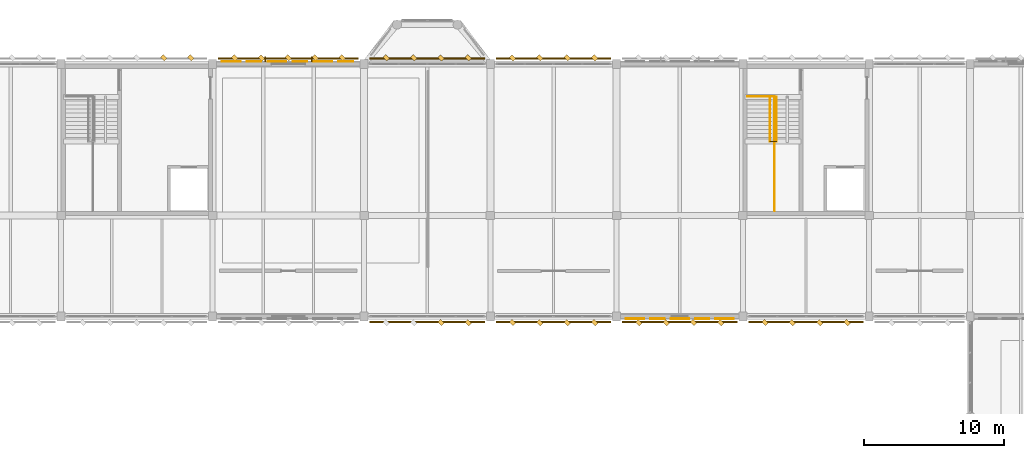
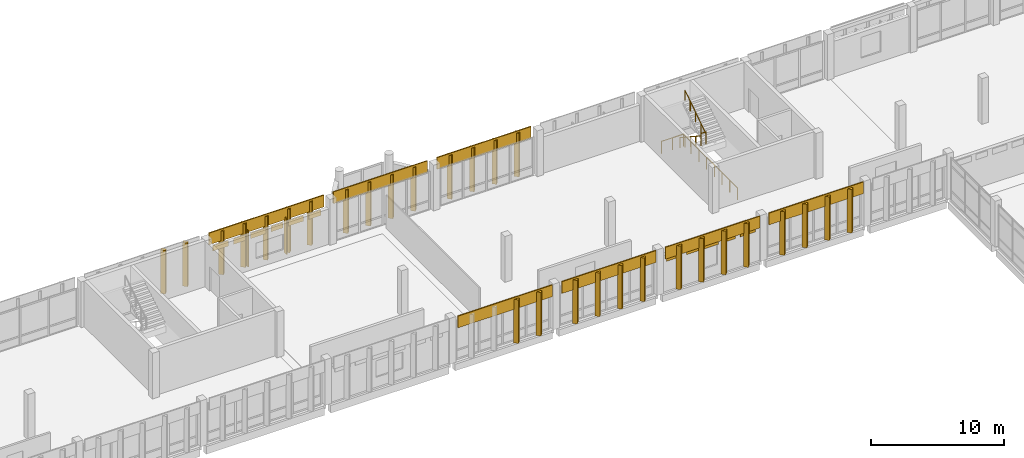
# One storey, part 151 of 158: 49 coverings, 4 railings.
"""IFC4 building model written with IfcOpenShell, lengths in metres."""

from ifc_helpers import new_model, si_unit, direction, frame, origin, origin_2d, place, context, subcontext, project, spatial, rectangle, circle, extrude, material, layer, layer_set, type_object, element, save


model = new_model("IFC4")

# Units and contexts
model_context = context("Model", 3, precision=1e-05, world=origin(), true_north=direction((0.0, 1.0)))
body_context = subcontext(model_context, "Body", "Model", "MODEL_VIEW")
ifc_project = project(units=[si_unit("LENGTHUNIT", "METRE"), si_unit("AREAUNIT", "SQUARE_METRE"), si_unit("VOLUMEUNIT", "CUBIC_METRE"), si_unit("PLANEANGLEUNIT", "RADIAN"), si_unit("MASSUNIT", "GRAM", prefix="KILO")], contexts=[model_context])

# Site, building, storey
site_placement = place(None, origin())
site = spatial("IfcSite", under=ifc_project, at=site_placement, CompositionType="ELEMENT")
building_placement = place(site_placement, origin())
building = spatial("IfcBuilding", under=site, at=building_placement, Name="Lusvemor Sports Hall", CompositionType="ELEMENT")
storey_placement = place(building_placement, frame((0.0, 0.0, 10.800048828125)))
storey = spatial("IfcBuildingStorey", under=building, at=storey_placement, Name="L02", CompositionType="ELEMENT", Elevation=10.800048828125)

# Coverings
ifc_material_1 = material(Name="Emerald polychrome glazed ceramic cladding on Concrete C40/50 backing", Category="concrete")
ifc_layer_1 = layer(ifc_material_1, 0.0458984375)
ifc_layer_set_1 = layer_set([ifc_layer_1], Name="Emerald polychrome glazed ceramic cladding on Concrete C40/50 backing")
covering_type_1 = type_object("IfcCoveringType", Name="CLAD_WAVE_EMERALD", PredefinedType="CLADDING", material=ifc_layer_set_1)
for number, where, z_axis, x_axis, name in (
    (1, (66.11669921875, 115.365478515625, 2.65478515625), (0.0, 0.0, 1.0), (1.0, 0.0, 0.0), "Art Nouveau Patterned Cladding PS-EW-L02-N-1-6-1"),
    (2, (69.38330078125, 115.365478515625, 2.65478515625), (0.0, 0.0, 1.0), (1.0, 0.0, 0.0), "Art Nouveau Patterned Cladding PS-EW-L02-N-1-6-3"),
    (3, (72.64990234375, 115.365478515625, 2.65478515625), (0.0, 0.0, 1.0), (1.0, 0.0, 0.0), "Art Nouveau Patterned Cladding PS-EW-L02-N-1-6-5"),
):
    element("IfcCovering", number, at=place(storey_placement, frame(where, z_axis=z_axis, x_axis=x_axis)), inside=storey, type_object=covering_type_1, Name=name, PredefinedType="CLADDING", context=body_context, shape_type="SweptSolid", body=[
        extrude(rectangle(XDim=1.33935546875, YDim=0.0458984375, at=origin_2d()), origin(), (0.0, 0.0, 1.0), 0.510009765625),
    ])
for number, where, z_axis, x_axis, name in (
    (4, (94.89990234375, 97.034423828125, 2.7451171875), (0.0, 0.0, 1.0), (1.0, 0.0, 0.0), "Art Nouveau Patterned Cladding PS-EW-L02-S-3-7-1"),
    (5, (98.10009765625, 97.034423828125, 2.7451171875), (0.0, 0.0, 1.0), (1.0, 0.0, 0.0), "Art Nouveau Patterned Cladding PS-EW-L02-S-3-7-3"),
    (6, (101.300048828125, 97.034423828125, 2.7451171875), (0.0, 0.0, 1.0), (1.0, 0.0, 0.0), "Art Nouveau Patterned Cladding PS-EW-L02-S-3-7-5"),
):
    element("IfcCovering", number, at=place(storey_placement, frame(where, z_axis=z_axis, x_axis=x_axis)), inside=storey, type_object=covering_type_1, Name=name, PredefinedType="CLADDING", context=body_context, shape_type="SweptSolid", body=[
        extrude(rectangle(XDim=1.31201171875, YDim=0.0458984375, at=origin_2d()), origin(), (0.0, 0.0, 1.0), 0.510009765625),
    ])
for number, where, z_axis, x_axis, name in (
    (7, (61.320068359375, 115.639892578125, 0.099853515625), (0.0, 0.0, 1.0), (0.707106781187, 0.707106781187, 0.0), "Patterned Diamond Cladding Rib 662"),
    (8, (68.280029296875, 115.639892578125, 0.099853515625), (0.0, 0.0, 1.0), (0.707106781187, 0.707106781187, 0.0), "Patterned Diamond Cladding Rib 697"),
    (9, (72.1201171875, 115.639892578125, 0.099853515625), (0.0, 0.0, 1.0), (0.707106781187, 0.707106781187, 0.0), "Patterned Diamond Cladding Rib 699"),
    (10, (79.125, 115.639892578125, 0.099853515625), (0.0, 0.0, 1.0), (0.707106781187, 0.707106781187, 0.0), "Patterned Diamond Cladding Rib 719"),
    (11, (83.02490234375, 115.639892578125, 0.099853515625), (0.0, 0.0, 1.0), (0.707106781187, 0.707106781187, 0.0), "Patterned Diamond Cladding Rib 721"),
    (12, (88.125, 115.639892578125, 0.099853515625), (0.0, 0.0, 1.0), (0.707106781187, 0.707106781187, 0.0), "Patterned Diamond Cladding Rib 739"),
    (13, (92.02490234375, 115.639892578125, 0.099853515625), (0.0, 0.0, 1.0), (0.707106781187, 0.707106781187, 0.0), "Patterned Diamond Cladding Rib 741"),
    (14, (83.02490234375, 96.760009765625, 0.099853515625), (0.0, 0.0, 1.0), (0.707106781187, 0.707106781187, 0.0), "Patterned Diamond Cladding Rib 1296"),
    (15, (88.125, 96.760009765625, 0.099853515625), (0.0, 0.0, 1.0), (0.707106781187, 0.707106781187, 0.0), "Patterned Diamond Cladding Rib 1314"),
    (16, (92.02490234375, 96.760009765625, 0.099853515625), (0.0, 0.0, 1.0), (0.707106781187, 0.707106781187, 0.0), "Patterned Diamond Cladding Rib 1316"),
    (17, (97.125, 96.760009765625, 0.099853515625), (0.0, 0.0, 1.0), (0.707106781187, 0.707106781187, 0.0), "Patterned Diamond Cladding Rib 1334"),
    (18, (101.02490234375, 96.760009765625, 0.099853515625), (0.0, 0.0, 1.0), (0.707106781187, 0.707106781187, 0.0), "Patterned Diamond Cladding Rib 1336"),
    (19, (106.125, 96.760009765625, 0.099853515625), (0.0, 0.0, 1.0), (0.707106781187, 0.707106781187, 0.0), "Patterned Diamond Cladding Rib 1354"),
    (20, (110.02490234375, 96.760009765625, 0.099853515625), (0.0, 0.0, 1.0), (0.707106781187, 0.707106781187, 0.0), "Patterned Diamond Cladding Rib 1356"),
):
    element("IfcCovering", number, at=place(storey_placement, frame(where, z_axis=z_axis, x_axis=x_axis)), inside=storey, type_object=covering_type_1, Name=name, PredefinedType="CLADDING", context=body_context, shape_type="SweptSolid", body=[
        extrude(rectangle(XDim=0.280029296875, YDim=0.3798828125, at=origin_2d()), origin(), (0.0, 0.0, 1.0), 4.0),
    ])
ifc_material_2 = material(Name="Warm terracotta Art Nouveau ceramic cladding on Concrete C40/50 backing", Category="masonry")
ifc_layer_2 = layer(ifc_material_2, 0.0380859375)
ifc_layer_set_2 = layer_set([ifc_layer_2], Name="Warm terracotta Art Nouveau ceramic cladding on Concrete C40/50 backing")
covering_type_2 = type_object("IfcCoveringType", Name="CLAD_WAVE_OCHRE", PredefinedType="CLADDING", material=ifc_layer_set_2)
for number, where, z_axis, x_axis, name in (
    (21, (67.75, 115.361572265625, 2.65478515625), (0.0, 0.0, 1.0), (1.0, 0.0, 0.0), "Art Nouveau Patterned Cladding PS-EW-L02-N-1-6-2"),
    (22, (71.0166015625, 115.361572265625, 2.65478515625), (0.0, 0.0, 1.0), (1.0, 0.0, 0.0), "Art Nouveau Patterned Cladding PS-EW-L02-N-1-6-4"),
    (23, (74.283203125, 115.361572265625, 2.65478515625), (0.0, 0.0, 1.0), (1.0, 0.0, 0.0), "Art Nouveau Patterned Cladding PS-EW-L02-N-1-6-6"),
):
    element("IfcCovering", number, at=place(storey_placement, frame(where, z_axis=z_axis, x_axis=x_axis)), inside=storey, type_object=covering_type_2, Name=name, PredefinedType="CLADDING", context=body_context, shape_type="SweptSolid", body=[
        extrude(rectangle(XDim=1.04541015625, YDim=0.0380859375, at=origin_2d()), origin(), (0.0, 0.0, 1.0), 0.510009765625),
    ])
for number, where, z_axis, x_axis, name in (
    (24, (96.5, 97.03857421875, 2.7451171875), (0.0, 0.0, 1.0), (1.0, 0.0, 0.0), "Art Nouveau Patterned Cladding PS-EW-L02-S-3-7-2"),
    (25, (99.699951171875, 97.03857421875, 2.7451171875), (0.0, 0.0, 1.0), (1.0, 0.0, 0.0), "Art Nouveau Patterned Cladding PS-EW-L02-S-3-7-4"),
):
    element("IfcCovering", number, at=place(storey_placement, frame(where, z_axis=z_axis, x_axis=x_axis)), inside=storey, type_object=covering_type_2, Name=name, PredefinedType="CLADDING", context=body_context, shape_type="SweptSolid", body=[
        extrude(rectangle(XDim=1.02392578125, YDim=0.0380859375, at=origin_2d()), origin(), (0.0, 0.0, 1.0), 0.510009765625),
    ])
covering_placement = place(storey_placement, frame((70.199951171875, 115.590087890625, 3.179931640625), z_axis=(0.0, 0.0, 1.0), x_axis=(1.0, 0.0, 0.0)))
element("IfcCovering", 26, at=covering_placement, inside=storey, type_object=covering_type_2, Name="Art Nouveau Spandrel Cornice 695", PredefinedType="CLADDING", context=body_context, shape_type="SweptSolid", body=[
    extrude(rectangle(XDim=9.97998046875, YDim=0.090087890625, at=origin_2d()), origin(), (0.0, 0.0, 1.0), 1.080078125),
])
for number, where, z_axis, x_axis, name in (
    (27, (80.10009765625, 115.590087890625, 3.179931640625), (0.0, 0.0, 1.0), (1.0, 0.0, 0.0), "Art Nouveau Spandrel Cornice 717"),
    (28, (89.10009765625, 115.590087890625, 3.179931640625), (0.0, 0.0, 1.0), (1.0, 0.0, 0.0), "Art Nouveau Spandrel Cornice 737"),
    (29, (80.10009765625, 96.81005859375, 3.179931640625), (0.0, 0.0, 1.0), (1.0, 0.0, 0.0), "Art Nouveau Spandrel Cornice 1292"),
    (30, (89.10009765625, 96.81005859375, 3.179931640625), (0.0, 0.0, 1.0), (1.0, 0.0, 0.0), "Art Nouveau Spandrel Cornice 1312"),
    (31, (98.10009765625, 96.81005859375, 3.179931640625), (0.0, 0.0, 1.0), (1.0, 0.0, 0.0), "Art Nouveau Spandrel Cornice 1332"),
    (32, (107.10009765625, 96.81005859375, 3.179931640625), (0.0, 0.0, 1.0), (1.0, 0.0, 0.0), "Art Nouveau Spandrel Cornice 1352"),
):
    element("IfcCovering", number, at=place(storey_placement, frame(where, z_axis=z_axis, x_axis=x_axis)), inside=storey, type_object=covering_type_2, Name=name, PredefinedType="CLADDING", context=body_context, shape_type="SweptSolid", body=[
        extrude(rectangle(XDim=8.179931640625, YDim=0.090087890625, at=origin_2d()), origin(), (0.0, 0.0, 1.0), 1.080078125),
    ])
ifc_material_3 = material(Name="Emerald polychrome glazed ceramic cladding on Concrete C40/50 backing", Category="concrete")
ifc_layer_3 = layer(ifc_material_3, 0.35009765625)
ifc_layer_set_3 = layer_set([ifc_layer_3], Name="Emerald polychrome glazed ceramic cladding on Concrete C40/50 backing")
covering_type_3 = type_object("IfcCoveringType", Name="FIN_BRISE_CER_350", PredefinedType="MOLDING", material=ifc_layer_set_3)
for number, where, z_axis, x_axis, name in (
    (33, (68.5400390625, 115.527587890625, 0.10009765625), (0.0, 0.0, 1.0), (1.0, 0.0, 0.0), "Wing Brise-Soleil Fin L02-N-1-6-1"),
    (34, (71.860107421875, 115.527587890625, 0.10009765625), (0.0, 0.0, 1.0), (1.0, 0.0, 0.0), "Wing Brise-Soleil Fin L02-N-1-6-2"),
):
    element("IfcCovering", number, at=place(storey_placement, frame(where, z_axis=z_axis, x_axis=x_axis)), inside=storey, type_object=covering_type_3, Name=name, PredefinedType="MOLDING", context=body_context, shape_type="SweptSolid", body=[
        extrude(rectangle(XDim=0.080078125, YDim=0.35009765625, at=origin_2d()), origin(), (0.0, 0.0, 1.0), 3.320068359375),
    ])
ifc_material_4 = material(Name="Warm terracotta Art Nouveau ceramic cladding on Concrete C40/50 backing", Category="masonry")
ifc_layer_4 = layer(ifc_material_4, 0.449951171875)
ifc_layer_set_4 = layer_set([ifc_layer_4], Name="Warm terracotta Art Nouveau ceramic cladding on Concrete C40/50 backing")
covering_type_4 = type_object("IfcCoveringType", Name="FIN_BRISE_CER_450", PredefinedType="MOLDING", material=ifc_layer_set_4)
for number, where, z_axis, x_axis, name in (
    (35, (63.239990234375, 115.639892578125, 0.099853515625), (0.0, 0.0, 1.0), (0.707106781187, 0.707106781187, 0.0), "Patterned Diamond Cladding Rib 663"),
    (36, (66.360107421875, 115.639892578125, 0.099853515625), (0.0, 0.0, 1.0), (0.707106781187, 0.707106781187, 0.0), "Patterned Diamond Cladding Rib 696"),
    (37, (70.199951171875, 115.639892578125, 0.099853515625), (0.0, 0.0, 1.0), (0.707106781187, 0.707106781187, 0.0), "Patterned Diamond Cladding Rib 698"),
    (38, (74.0400390625, 115.639892578125, 0.099853515625), (0.0, 0.0, 1.0), (0.707106781187, 0.707106781187, 0.0), "Patterned Diamond Cladding Rib 700"),
    (39, (77.175048828125, 115.639892578125, 0.099853515625), (0.0, 0.0, 1.0), (0.707106781187, 0.707106781187, 0.0), "Patterned Diamond Cladding Rib 718"),
    (40, (81.074951171875, 115.639892578125, 0.099853515625), (0.0, 0.0, 1.0), (0.707106781187, 0.707106781187, 0.0), "Patterned Diamond Cladding Rib 720"),
    (41, (86.175048828125, 115.639892578125, 0.099853515625), (0.0, 0.0, 1.0), (0.707106781187, 0.707106781187, 0.0), "Patterned Diamond Cladding Rib 738"),
    (42, (90.074951171875, 115.639892578125, 0.099853515625), (0.0, 0.0, 1.0), (0.707106781187, 0.707106781187, 0.0), "Patterned Diamond Cladding Rib 740"),
    (43, (81.074951171875, 96.760009765625, 0.099853515625), (0.0, 0.0, 1.0), (0.707106781187, 0.707106781187, 0.0), "Patterned Diamond Cladding Rib 1295"),
    (44, (86.175048828125, 96.760009765625, 0.099853515625), (0.0, 0.0, 1.0), (0.707106781187, 0.707106781187, 0.0), "Patterned Diamond Cladding Rib 1313"),
    (45, (90.074951171875, 96.760009765625, 0.099853515625), (0.0, 0.0, 1.0), (0.707106781187, 0.707106781187, 0.0), "Patterned Diamond Cladding Rib 1315"),
    (46, (95.175048828125, 96.760009765625, 0.099853515625), (0.0, 0.0, 1.0), (0.707106781187, 0.707106781187, 0.0), "Patterned Diamond Cladding Rib 1333"),
    (47, (99.074951171875, 96.760009765625, 0.099853515625), (0.0, 0.0, 1.0), (0.707106781187, 0.707106781187, 0.0), "Patterned Diamond Cladding Rib 1335"),
    (48, (104.175048828125, 96.760009765625, 0.099853515625), (0.0, 0.0, 1.0), (0.707106781187, 0.707106781187, 0.0), "Patterned Diamond Cladding Rib 1353"),
    (49, (108.074951171875, 96.760009765625, 0.099853515625), (0.0, 0.0, 1.0), (0.707106781187, 0.707106781187, 0.0), "Patterned Diamond Cladding Rib 1355"),
):
    element("IfcCovering", number, at=place(storey_placement, frame(where, z_axis=z_axis, x_axis=x_axis)), inside=storey, type_object=covering_type_4, Name=name, PredefinedType="MOLDING", context=body_context, shape_type="SweptSolid", body=[
        extrude(rectangle(XDim=0.280029296875, YDim=0.3798828125, at=origin_2d()), origin(), (0.0, 0.0, 1.0), 4.0),
    ])

# Railings
ifc_material_5 = material(Name="Bronze-finished wrought-steel Art Nouveau balustrade", Category="steel")
railing_type_1 = type_object("IfcRailingType", Name="RAIL_HANDRAIL_092", PredefinedType="HANDRAIL", material=ifc_material_5)
railing_1_placement = place(storey_placement, frame((104.5400390625, 112.85009765625, 0.0)))
element("IfcRailing", 50, at=railing_1_placement, inside=storey, type_object=railing_type_1, Name="Stair STR-C4-L02 Handrail F1", PredefinedType="HANDRAIL", context=body_context, shape_type="SweptSolid", body=[
    extrude(circle(Radius=0.02392578125, at=origin_2d()), frame((0.0, 0.0, 0.89599609375), z_axis=(0.0, -0.835291159344, 0.549807856548), x_axis=(1.0, 0.0, 0.0)), (0.0, 0.0, 1.0), 3.8193359375),
    extrude(circle(Radius=0.02099609375, at=origin_2d()), origin(), (0.0, 0.0, 1.0), 0.871826171875),
    extrude(circle(Radius=0.02099609375, at=origin_2d()), frame((0.0, -0.797607421875, 0.52490234375)), (0.0, 0.0, 1.0), 0.871826171875),
    extrude(circle(Radius=0.02099609375, at=origin_2d()), frame((0.0, -1.59521484375, 1.0498046875)), (0.0, 0.0, 1.0), 0.871826171875),
    extrude(circle(Radius=0.02099609375, at=origin_2d()), frame((0.0, -2.392578125, 1.574951171875)), (0.0, 0.0, 1.0), 0.871826171875),
    extrude(circle(Radius=0.02099609375, at=origin_2d()), frame((0.0, -3.190185546875, 2.099853515625)), (0.0, 0.0, 1.0), 0.871826171875),
])
railing_2_placement = place(storey_placement, frame((104.97998046875, 109.659912109375, 2.099853515625)))
element("IfcRailing", 51, at=railing_2_placement, inside=storey, type_object=railing_type_1, Name="Stair STR-C4-L02 Handrail F2", PredefinedType="HANDRAIL", context=body_context, shape_type="SweptSolid", body=[
    extrude(circle(Radius=0.02392578125, at=origin_2d()), frame((0.0, 0.0, 0.89599609375), z_axis=(0.0, 0.835261802243, 0.549852454495), x_axis=(-1.0, 0.0, 0.0)), (0.0, 0.0, 1.0), 3.8193359375),
    extrude(circle(Radius=0.02099609375, at=origin_2d()), origin(), (0.0, 0.0, 1.0), 0.871826171875),
    extrude(circle(Radius=0.02099609375, at=origin_2d()), frame((0.0, 0.797607421875, 0.52490234375)), (0.0, 0.0, 1.0), 0.871826171875),
    extrude(circle(Radius=0.02099609375, at=origin_2d()), frame((0.0, 1.59521484375, 1.050048828125)), (0.0, 0.0, 1.0), 0.871826171875),
    extrude(circle(Radius=0.02099609375, at=origin_2d()), frame((0.0, 2.392578125, 1.5751953125)), (0.0, 0.0, 1.0), 0.871826171875),
    extrude(circle(Radius=0.02099609375, at=origin_2d()), frame((0.0, 3.190185546875, 2.10009765625)), (0.0, 0.0, 1.0), 0.871826171875),
])
ifc_material_6 = material(Name="Bronze-finished wrought-steel Art Nouveau balustrade", Category="steel")
railing_type_2 = type_object("IfcRailingType", Name="RAIL_STAIR_GUARD_112", PredefinedType="GUARDRAIL", material=ifc_material_6)
railing_3_placement = place(storey_placement, frame((102.93994140625, 112.8701171875, 0.0)))
element("IfcRailing", 52, at=railing_3_placement, inside=storey, type_object=railing_type_2, Name="Stairwell C4 Top Guard (L02)", PredefinedType="GUARDRAIL", context=body_context, shape_type="SweptSolid", body=[
    extrude(circle(Radius=0.02392578125, at=origin_2d()), frame((0.0, 0.0, 1.09619140625), z_axis=(1.0, 0.0, 0.0), x_axis=(0.0, 1.0, 0.0)), (0.0, 0.0, 1.0), 1.920166015625),
    extrude(circle(Radius=0.02392578125, at=origin_2d()), frame((1.920166015625, 0.0, 1.09619140625), z_axis=(0.0, -1.0, 0.0), x_axis=(1.0, 0.0, 0.0)), (0.0, 0.0, 1.0), 8.130126953125),
    extrude(circle(Radius=0.02099609375, at=origin_2d()), origin(), (0.0, 0.0, 1.0), 1.072021484375),
    extrude(circle(Radius=0.02099609375, at=origin_2d()), frame((0.9599609375, 0.0, 0.0)), (0.0, 0.0, 1.0), 1.072021484375),
    extrude(circle(Radius=0.02099609375, at=origin_2d()), frame((1.920166015625, 0.0, 0.0)), (0.0, 0.0, 1.0), 1.072021484375),
    extrude(circle(Radius=0.02099609375, at=origin_2d()), frame((1.920166015625, -1.161376953125, 0.0)), (0.0, 0.0, 1.0), 1.072021484375),
    extrude(circle(Radius=0.02099609375, at=origin_2d()), frame((1.920166015625, -2.322998046875, 0.0)), (0.0, 0.0, 1.0), 1.072021484375),
    extrude(circle(Radius=0.02099609375, at=origin_2d()), frame((1.920166015625, -3.484375, 0.0)), (0.0, 0.0, 1.0), 1.072021484375),
    extrude(circle(Radius=0.02099609375, at=origin_2d()), frame((1.920166015625, -4.645751953125, 0.0)), (0.0, 0.0, 1.0), 1.072021484375),
    extrude(circle(Radius=0.02099609375, at=origin_2d()), frame((1.920166015625, -5.80712890625, 0.0)), (0.0, 0.0, 1.0), 1.072021484375),
    extrude(circle(Radius=0.02099609375, at=origin_2d()), frame((1.920166015625, -6.96875, 0.0)), (0.0, 0.0, 1.0), 1.072021484375),
    extrude(circle(Radius=0.02099609375, at=origin_2d()), frame((1.920166015625, -8.130126953125, 0.0)), (0.0, 0.0, 1.0), 1.072021484375),
])
railing_4_placement = place(storey_placement, frame((104.5400390625, 109.679931640625, 2.099853515625)))
element("IfcRailing", 53, at=railing_4_placement, inside=storey, type_object=railing_type_2, Name="Stair STR-C4-L02 Mid Well Guard", PredefinedType="GUARDRAIL", context=body_context, shape_type="SweptSolid", body=[
    extrude(circle(Radius=0.02392578125, at=origin_2d()), frame((0.0, 0.0, 1.09619140625), z_axis=(1.0, 0.0, 0.0), x_axis=(0.0, 1.0, 0.0)), (0.0, 0.0, 1.0), 0.43994140625),
    extrude(circle(Radius=0.02099609375, at=origin_2d()), origin(), (0.0, 0.0, 1.0), 1.072021484375),
    extrude(circle(Radius=0.02099609375, at=origin_2d()), frame((0.43994140625, 0.0, 0.0)), (0.0, 0.0, 1.0), 1.072021484375),
])

save(model, "model.ifc")
